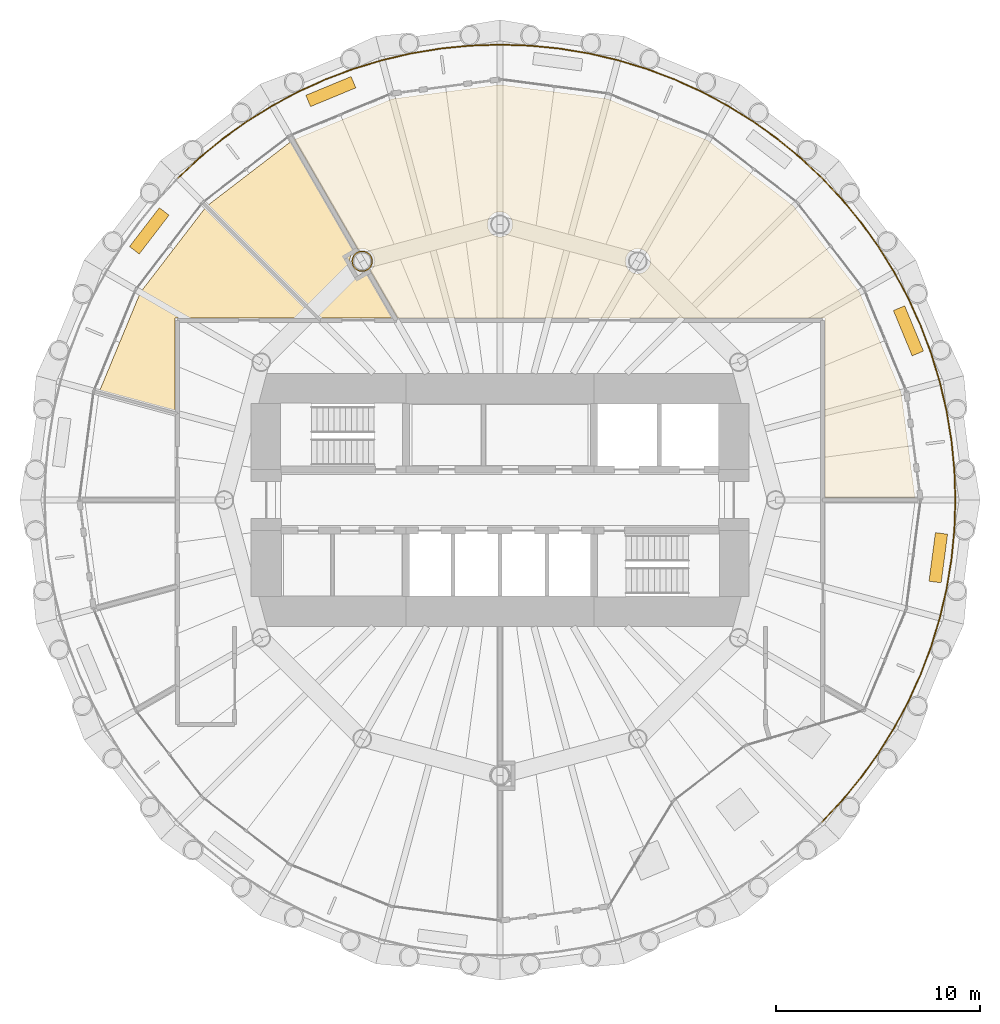
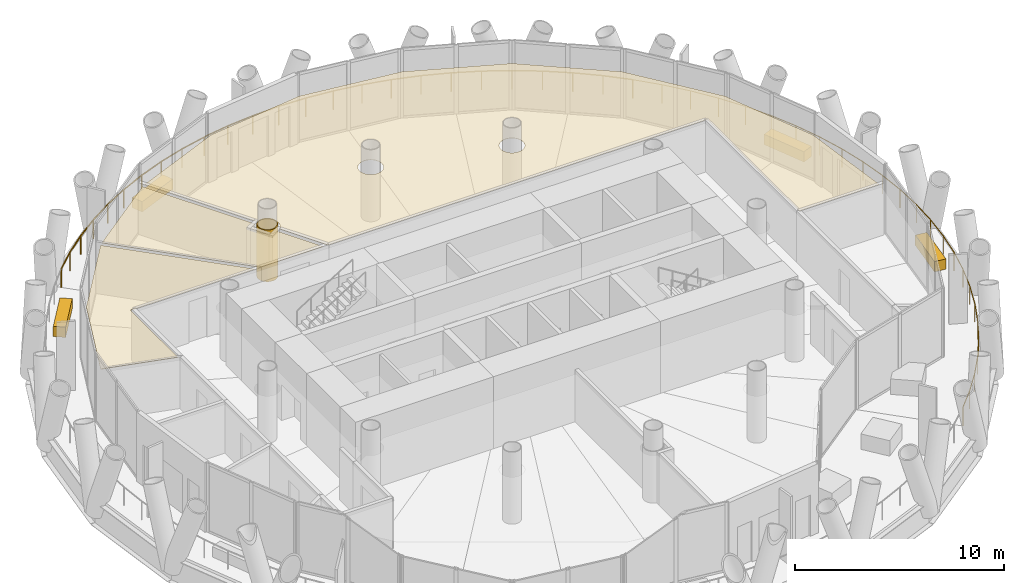
# One storey, part 13 of 14: 8 coverings, 2 railings.
"""IFC4 building model written with IfcOpenShell, lengths in metres."""

from ifc_helpers import new_model, si_unit, direction, frame, origin, origin_2d, place, context, subcontext, project, spatial, polyline, rectangle, circle, outline, extrude, material, layer, layer_set, type_object, element, save


model = new_model("IFC4")

# Units and contexts
model_context = context("Model", 3, precision=1e-05, world=origin(), true_north=direction((0.0, 1.0)))
body_context = subcontext(model_context, "Body", "Model", "MODEL_VIEW")
ifc_project = project(units=[si_unit("LENGTHUNIT", "METRE"), si_unit("AREAUNIT", "SQUARE_METRE"), si_unit("VOLUMEUNIT", "CUBIC_METRE"), si_unit("PLANEANGLEUNIT", "RADIAN"), si_unit("MASSUNIT", "GRAM", prefix="KILO")], contexts=[model_context])

# Site, building, storey
site_placement = place(None, origin())
site = spatial("IfcSite", under=ifc_project, at=site_placement, CompositionType="ELEMENT")
building_placement = place(site_placement, origin())
building = spatial("IfcBuilding", under=site, at=building_placement, Name="Qaws Media Tower", CompositionType="ELEMENT")
storey_placement = place(building_placement, frame((0.0, 0.0, 210.800048828125)))
storey = spatial("IfcBuildingStorey", under=building, at=storey_placement, Name="L48", CompositionType="ELEMENT", Elevation=210.800048828125)

# Covering
ifc_material_1 = material(Name="40 perforated acoustic panels with mineral wool backing, suspended", Category="mineral fibre")
ifc_layer_1 = layer(ifc_material_1, 0.0400390625)
ifc_layer_set_1 = layer_set([ifc_layer_1], Name="Acoustic panel ceiling 40")
covering_type_1 = type_object("IfcCoveringType", Name="Acoustic panel ceiling 40", PredefinedType="CEILING", material=ifc_layer_set_1)
covering_1_placement = place(storey_placement, frame((0.0, 0.0, 2.849853515625)))
element("IfcCovering", 1, at=covering_1_placement, inside=storey, type_object=covering_type_1, Name="CL3 ceiling L48-04 Meeting room", PredefinedType="CEILING", context=body_context, shape_type="SweptSolid", body=[
    extrude(outline(polyline([(42.38916015625, 60.16748046875), (45.5517578125, 64.289306640625), (50.928466796875, 58.91259765625), (44.08740234375, 58.91259765625), (44.08740234375, 54.380126953125), (40.401123046875, 55.367919921875), (42.38916015625, 60.16748046875)])), origin(), (0.0, 0.0, 1.0), 0.0400390625),
])

# Railings
ifc_material_2 = material(Name="Stainless steel and glass guard", Category="steel")
railing_type = type_object("IfcRailingType", Name="Balcony guard 1100", PredefinedType="GUARDRAIL", material=ifc_material_2)
railing_1_placement = place(storey_placement, frame((75.7685546875, 65.7685546875, 0.0)))
element("IfcRailing", 2, at=railing_1_placement, inside=storey, type_object=railing_type, Name="GR1 balcony guard L48-1", PredefinedType="GUARDRAIL", context=body_context, shape_type="SweptSolid", body=[
    extrude(circle(Radius=0.02392578125, at=origin_2d()), frame((0.0, 0.0, 1.076171875), z_axis=(-0.72989707755, 0.683557061396, 0.0), x_axis=(-0.683557061396, -0.72989707755, 0.0)), (0.0, 0.0, 1.0), 1.45947265625),
    extrude(circle(Radius=0.02392578125, at=origin_2d()), frame((-1.065185546875, 0.99755859375, 1.076171875), z_axis=(-0.772972382997, 0.6344396702, 0.0), x_axis=(-0.6344396702, -0.772972382997, 0.0)), (0.0, 0.0, 1.0), 1.459228515625),
    extrude(circle(Radius=0.02392578125, at=origin_2d()), frame((-2.193115234375, 1.92333984375, 1.076171875), z_axis=(-0.812918773446, 0.582377083837, 0.0), x_axis=(-0.582377083837, -0.812918773446, 0.0)), (0.0, 0.0, 1.0), 1.459228515625),
    extrude(circle(Radius=0.02392578125, at=origin_2d()), frame((-3.37939453125, 2.773193359375, 1.076171875), z_axis=(-0.849236664159, 0.528012394028, 0.0), x_axis=(-0.528012394028, -0.849236664159, 0.0)), (0.0, 0.0, 1.0), 1.459228515625),
    extrude(circle(Radius=0.02392578125, at=origin_2d()), frame((-4.61865234375, 3.543701171875, 1.076171875), z_axis=(-0.881880097738, 0.471473746049, 0.0), x_axis=(-0.471473746049, -0.881880097738, 0.0)), (0.0, 0.0, 1.0), 1.459228515625),
    extrude(circle(Radius=0.02392578125, at=origin_2d()), frame((-5.905517578125, 4.231689453125, 1.076171875), z_axis=(-0.910841452215, 0.41275640386, 0.0), x_axis=(-0.41275640386, -0.910841452215, 0.0)), (0.0, 0.0, 1.0), 1.459228515625),
    extrude(circle(Radius=0.02392578125, at=origin_2d()), frame((-7.234619140625, 4.833984375, 1.076171875), z_axis=(-0.935929780964, 0.352186662304, 0.0), x_axis=(-0.352186662304, -0.935929780964, 0.0)), (0.0, 0.0, 1.0), 1.459228515625),
    extrude(circle(Radius=0.02392578125, at=origin_2d()), frame((-8.600341796875, 5.347900390625, 1.076171875), z_axis=(-0.956946982527, 0.290262764805, 0.0), x_axis=(-0.290262764805, -0.956946982527, 0.0)), (0.0, 0.0, 1.0), 1.459228515625),
    extrude(circle(Radius=0.02392578125, at=origin_2d()), frame((-9.996826171875, 5.771484375, 1.076171875), z_axis=(-0.973849847258, 0.227192594499, 0.0), x_axis=(-0.227192594499, -0.973849847258, 0.0)), (0.0, 0.0, 1.0), 1.459228515625),
    extrude(circle(Radius=0.02392578125, at=origin_2d()), frame((-11.41796875, 6.10302734375, 1.076171875), z_axis=(-0.986663858539, 0.162771097721, 0.0), x_axis=(-0.162771097721, -0.986663858539, 0.0)), (0.0, 0.0, 1.0), 1.45947265625),
    extrude(circle(Radius=0.02392578125, at=origin_2d()), frame((-12.85791015625, 6.340576171875, 1.076171875), z_axis=(-0.99518190062, 0.098045829483, 0.0), x_axis=(-0.098045829483, -0.99518190062, 0.0)), (0.0, 0.0, 1.0), 1.459228515625),
    extrude(circle(Radius=0.02392578125, at=origin_2d()), frame((-14.31005859375, 6.483642578125, 1.076171875), z_axis=(-0.99946222418, 0.032791194499, 0.0), x_axis=(-0.032791194499, -0.99946222418, 0.0)), (0.0, 0.0, 1.0), 1.459228515625),
    extrude(circle(Radius=0.02392578125, at=origin_2d()), frame((-15.7685546875, 6.531494140625, 1.076171875), z_axis=(-0.99946222418, -0.032791194499, 0.0), x_axis=(0.032791194499, -0.99946222418, 0.0)), (0.0, 0.0, 1.0), 1.459228515625),
    extrude(circle(Radius=0.02392578125, at=origin_2d()), frame((-17.22705078125, 6.483642578125, 1.076171875), z_axis=(-0.99518190062, -0.098045829483, 0.0), x_axis=(0.098045829483, -0.99518190062, 0.0)), (0.0, 0.0, 1.0), 1.459228515625),
    extrude(circle(Radius=0.02392578125, at=origin_2d()), frame((-18.67919921875, 6.340576171875, 1.076171875), z_axis=(-0.986663858539, -0.162771097721, 0.0), x_axis=(0.162771097721, -0.986663858539, 0.0)), (0.0, 0.0, 1.0), 1.45947265625),
    extrude(circle(Radius=0.02392578125, at=origin_2d()), frame((-20.119140625, 6.10302734375, 1.076171875), z_axis=(-0.973849847258, -0.227192594499, 0.0), x_axis=(0.227192594499, -0.973849847258, 0.0)), (0.0, 0.0, 1.0), 1.459228515625),
    extrude(circle(Radius=0.02392578125, at=origin_2d()), frame((-21.540283203125, 5.771484375, 1.076171875), z_axis=(-0.956946982527, -0.290262764805, 0.0), x_axis=(0.290262764805, -0.956946982527, 0.0)), (0.0, 0.0, 1.0), 1.459228515625),
    extrude(circle(Radius=0.02392578125, at=origin_2d()), frame((-22.936767578125, 5.347900390625, 1.076171875), z_axis=(-0.935929780964, -0.352186662304, 0.0), x_axis=(0.352186662304, -0.935929780964, 0.0)), (0.0, 0.0, 1.0), 1.459228515625),
    extrude(circle(Radius=0.02392578125, at=origin_2d()), frame((-24.302490234375, 4.833984375, 1.076171875), z_axis=(-0.910841452215, -0.41275640386, 0.0), x_axis=(0.41275640386, -0.910841452215, 0.0)), (0.0, 0.0, 1.0), 1.459228515625),
    extrude(circle(Radius=0.02392578125, at=origin_2d()), frame((-25.631591796875, 4.231689453125, 1.076171875), z_axis=(-0.881880097738, -0.471473746049, 0.0), x_axis=(0.471473746049, -0.881880097738, 0.0)), (0.0, 0.0, 1.0), 1.459228515625),
    extrude(circle(Radius=0.02392578125, at=origin_2d()), frame((-26.91845703125, 3.543701171875, 1.076171875), z_axis=(-0.849236664159, -0.528012394028, 0.0), x_axis=(0.528012394028, -0.849236664159, 0.0)), (0.0, 0.0, 1.0), 1.459228515625),
    extrude(circle(Radius=0.02392578125, at=origin_2d()), frame((-28.15771484375, 2.773193359375, 1.076171875), z_axis=(-0.812918773446, -0.582377083837, 0.0), x_axis=(0.582377083837, -0.812918773446, 0.0)), (0.0, 0.0, 1.0), 1.459228515625),
    extrude(circle(Radius=0.02392578125, at=origin_2d()), frame((-29.343994140625, 1.92333984375, 1.076171875), z_axis=(-0.772972382997, -0.6344396702, 0.0), x_axis=(0.6344396702, -0.772972382997, 0.0)), (0.0, 0.0, 1.0), 1.459228515625),
    extrude(circle(Radius=0.02392578125, at=origin_2d()), frame((-30.471923828125, 0.99755859375, 1.076171875), z_axis=(-0.72989707755, -0.683557061396, 0.0), x_axis=(0.683557061396, -0.72989707755, 0.0)), (0.0, 0.0, 1.0), 1.45947265625),
    extrude(circle(Radius=0.02099609375, at=origin_2d()), origin(), (0.0, 0.0, 1.0), 1.052001953125),
    extrude(circle(Radius=0.02099609375, at=origin_2d()), frame((-1.065185546875, 0.99755859375, 0.0)), (0.0, 0.0, 1.0), 1.052001953125),
    extrude(circle(Radius=0.02099609375, at=origin_2d()), frame((-2.193115234375, 1.92333984375, 0.0)), (0.0, 0.0, 1.0), 1.052001953125),
    extrude(circle(Radius=0.02099609375, at=origin_2d()), frame((-3.37939453125, 2.773193359375, 0.0)), (0.0, 0.0, 1.0), 1.052001953125),
    extrude(circle(Radius=0.02099609375, at=origin_2d()), frame((-4.61865234375, 3.543701171875, 0.0)), (0.0, 0.0, 1.0), 1.052001953125),
    extrude(circle(Radius=0.02099609375, at=origin_2d()), frame((-5.905517578125, 4.231689453125, 0.0)), (0.0, 0.0, 1.0), 1.052001953125),
    extrude(circle(Radius=0.02099609375, at=origin_2d()), frame((-7.234619140625, 4.833984375, 0.0)), (0.0, 0.0, 1.0), 1.052001953125),
    extrude(circle(Radius=0.02099609375, at=origin_2d()), frame((-8.600341796875, 5.347900390625, 0.0)), (0.0, 0.0, 1.0), 1.052001953125),
    extrude(circle(Radius=0.02099609375, at=origin_2d()), frame((-9.996826171875, 5.771484375, 0.0)), (0.0, 0.0, 1.0), 1.052001953125),
    extrude(circle(Radius=0.02099609375, at=origin_2d()), frame((-11.41796875, 6.10302734375, 0.0)), (0.0, 0.0, 1.0), 1.052001953125),
    extrude(circle(Radius=0.02099609375, at=origin_2d()), frame((-12.85791015625, 6.340576171875, 0.0)), (0.0, 0.0, 1.0), 1.052001953125),
    extrude(circle(Radius=0.02099609375, at=origin_2d()), frame((-14.31005859375, 6.483642578125, 0.0)), (0.0, 0.0, 1.0), 1.052001953125),
    extrude(circle(Radius=0.02099609375, at=origin_2d()), frame((-15.7685546875, 6.531494140625, 0.0)), (0.0, 0.0, 1.0), 1.052001953125),
    extrude(circle(Radius=0.02099609375, at=origin_2d()), frame((-17.22705078125, 6.483642578125, 0.0)), (0.0, 0.0, 1.0), 1.052001953125),
    extrude(circle(Radius=0.02099609375, at=origin_2d()), frame((-18.67919921875, 6.340576171875, 0.0)), (0.0, 0.0, 1.0), 1.052001953125),
    extrude(circle(Radius=0.02099609375, at=origin_2d()), frame((-20.119140625, 6.10302734375, 0.0)), (0.0, 0.0, 1.0), 1.052001953125),
    extrude(circle(Radius=0.02099609375, at=origin_2d()), frame((-21.540283203125, 5.771484375, 0.0)), (0.0, 0.0, 1.0), 1.052001953125),
    extrude(circle(Radius=0.02099609375, at=origin_2d()), frame((-22.936767578125, 5.347900390625, 0.0)), (0.0, 0.0, 1.0), 1.052001953125),
    extrude(circle(Radius=0.02099609375, at=origin_2d()), frame((-24.302490234375, 4.833984375, 0.0)), (0.0, 0.0, 1.0), 1.052001953125),
    extrude(circle(Radius=0.02099609375, at=origin_2d()), frame((-25.631591796875, 4.231689453125, 0.0)), (0.0, 0.0, 1.0), 1.052001953125),
    extrude(circle(Radius=0.02099609375, at=origin_2d()), frame((-26.91845703125, 3.543701171875, 0.0)), (0.0, 0.0, 1.0), 1.052001953125),
    extrude(circle(Radius=0.02099609375, at=origin_2d()), frame((-28.15771484375, 2.773193359375, 0.0)), (0.0, 0.0, 1.0), 1.052001953125),
    extrude(circle(Radius=0.02099609375, at=origin_2d()), frame((-29.343994140625, 1.92333984375, 0.0)), (0.0, 0.0, 1.0), 1.052001953125),
    extrude(circle(Radius=0.02099609375, at=origin_2d()), frame((-30.471923828125, 0.99755859375, 0.0)), (0.0, 0.0, 1.0), 1.052001953125),
    extrude(circle(Radius=0.02099609375, at=origin_2d()), frame((-31.537109375, 0.0, 0.0)), (0.0, 0.0, 1.0), 1.052001953125),
])
railing_2_placement = place(storey_placement, frame((75.7685546875, 34.2314453125, 0.0)))
element("IfcRailing", 3, at=railing_2_placement, inside=storey, type_object=railing_type, Name="GR1 balcony guard L48-4", PredefinedType="GUARDRAIL", context=body_context, shape_type="SweptSolid", body=[
    extrude(circle(Radius=0.02392578125, at=origin_2d()), frame((0.0, 0.0, 1.076171875), z_axis=(0.683557061396, 0.72989707755, 0.0), x_axis=(-0.72989707755, 0.683557061396, 0.0)), (0.0, 0.0, 1.0), 1.45947265625),
    extrude(circle(Radius=0.02392578125, at=origin_2d()), frame((0.99755859375, 1.065185546875, 1.076171875), z_axis=(0.6344396702, 0.772972382997, 0.0), x_axis=(-0.772972382997, 0.6344396702, 0.0)), (0.0, 0.0, 1.0), 1.459228515625),
    extrude(circle(Radius=0.02392578125, at=origin_2d()), frame((1.92333984375, 2.193115234375, 1.076171875), z_axis=(0.582377083837, 0.812918773446, 0.0), x_axis=(-0.812918773446, 0.582377083837, 0.0)), (0.0, 0.0, 1.0), 1.459228515625),
    extrude(circle(Radius=0.02392578125, at=origin_2d()), frame((2.773193359375, 3.37939453125, 1.076171875), z_axis=(0.528012394028, 0.849236664159, 0.0), x_axis=(-0.849236664159, 0.528012394028, 0.0)), (0.0, 0.0, 1.0), 1.459228515625),
    extrude(circle(Radius=0.02392578125, at=origin_2d()), frame((3.543701171875, 4.61865234375, 1.076171875), z_axis=(0.471473746049, 0.881880097738, 0.0), x_axis=(-0.881880097738, 0.471473746049, 0.0)), (0.0, 0.0, 1.0), 1.459228515625),
    extrude(circle(Radius=0.02392578125, at=origin_2d()), frame((4.231689453125, 5.905517578125, 1.076171875), z_axis=(0.41275640386, 0.910841452215, 0.0), x_axis=(-0.910841452215, 0.41275640386, 0.0)), (0.0, 0.0, 1.0), 1.459228515625),
    extrude(circle(Radius=0.02392578125, at=origin_2d()), frame((4.833984375, 7.234619140625, 1.076171875), z_axis=(0.352186662304, 0.935929780964, 0.0), x_axis=(-0.935929780964, 0.352186662304, 0.0)), (0.0, 0.0, 1.0), 1.459228515625),
    extrude(circle(Radius=0.02392578125, at=origin_2d()), frame((5.347900390625, 8.600341796875, 1.076171875), z_axis=(0.290262764805, 0.956946982527, 0.0), x_axis=(-0.956946982527, 0.290262764805, 0.0)), (0.0, 0.0, 1.0), 1.459228515625),
    extrude(circle(Radius=0.02392578125, at=origin_2d()), frame((5.771484375, 9.996826171875, 1.076171875), z_axis=(0.227192594499, 0.973849847258, 0.0), x_axis=(-0.973849847258, 0.227192594499, 0.0)), (0.0, 0.0, 1.0), 1.459228515625),
    extrude(circle(Radius=0.02392578125, at=origin_2d()), frame((6.10302734375, 11.41796875, 1.076171875), z_axis=(0.162771097721, 0.986663858539, 0.0), x_axis=(-0.986663858539, 0.162771097721, 0.0)), (0.0, 0.0, 1.0), 1.45947265625),
    extrude(circle(Radius=0.02392578125, at=origin_2d()), frame((6.340576171875, 12.85791015625, 1.076171875), z_axis=(0.098045829483, 0.99518190062, 0.0), x_axis=(-0.99518190062, 0.098045829483, 0.0)), (0.0, 0.0, 1.0), 1.459228515625),
    extrude(circle(Radius=0.02392578125, at=origin_2d()), frame((6.483642578125, 14.31005859375, 1.076171875), z_axis=(0.032791194499, 0.99946222418, 0.0), x_axis=(-0.99946222418, 0.032791194499, 0.0)), (0.0, 0.0, 1.0), 1.459228515625),
    extrude(circle(Radius=0.02392578125, at=origin_2d()), frame((6.531494140625, 15.7685546875, 1.076171875), z_axis=(-0.032791194499, 0.99946222418, 0.0), x_axis=(-0.99946222418, -0.032791194499, 0.0)), (0.0, 0.0, 1.0), 1.459228515625),
    extrude(circle(Radius=0.02392578125, at=origin_2d()), frame((6.483642578125, 17.22705078125, 1.076171875), z_axis=(-0.098045829483, 0.99518190062, 0.0), x_axis=(-0.99518190062, -0.098045829483, 0.0)), (0.0, 0.0, 1.0), 1.459228515625),
    extrude(circle(Radius=0.02392578125, at=origin_2d()), frame((6.340576171875, 18.67919921875, 1.076171875), z_axis=(-0.162771097721, 0.986663858539, 0.0), x_axis=(-0.986663858539, -0.162771097721, 0.0)), (0.0, 0.0, 1.0), 1.45947265625),
    extrude(circle(Radius=0.02392578125, at=origin_2d()), frame((6.10302734375, 20.119140625, 1.076171875), z_axis=(-0.227192594499, 0.973849847258, 0.0), x_axis=(-0.973849847258, -0.227192594499, 0.0)), (0.0, 0.0, 1.0), 1.459228515625),
    extrude(circle(Radius=0.02392578125, at=origin_2d()), frame((5.771484375, 21.540283203125, 1.076171875), z_axis=(-0.290262764805, 0.956946982527, 0.0), x_axis=(-0.956946982527, -0.290262764805, 0.0)), (0.0, 0.0, 1.0), 1.459228515625),
    extrude(circle(Radius=0.02392578125, at=origin_2d()), frame((5.347900390625, 22.936767578125, 1.076171875), z_axis=(-0.352186662304, 0.935929780964, 0.0), x_axis=(-0.935929780964, -0.352186662304, 0.0)), (0.0, 0.0, 1.0), 1.459228515625),
    extrude(circle(Radius=0.02392578125, at=origin_2d()), frame((4.833984375, 24.302490234375, 1.076171875), z_axis=(-0.41275640386, 0.910841452215, 0.0), x_axis=(-0.910841452215, -0.41275640386, 0.0)), (0.0, 0.0, 1.0), 1.459228515625),
    extrude(circle(Radius=0.02392578125, at=origin_2d()), frame((4.231689453125, 25.631591796875, 1.076171875), z_axis=(-0.471473746049, 0.881880097738, 0.0), x_axis=(-0.881880097738, -0.471473746049, 0.0)), (0.0, 0.0, 1.0), 1.459228515625),
    extrude(circle(Radius=0.02392578125, at=origin_2d()), frame((3.543701171875, 26.91845703125, 1.076171875), z_axis=(-0.528012394028, 0.849236664159, 0.0), x_axis=(-0.849236664159, -0.528012394028, 0.0)), (0.0, 0.0, 1.0), 1.459228515625),
    extrude(circle(Radius=0.02392578125, at=origin_2d()), frame((2.773193359375, 28.15771484375, 1.076171875), z_axis=(-0.582377083837, 0.812918773446, 0.0), x_axis=(-0.812918773446, -0.582377083837, 0.0)), (0.0, 0.0, 1.0), 1.459228515625),
    extrude(circle(Radius=0.02392578125, at=origin_2d()), frame((1.92333984375, 29.343994140625, 1.076171875), z_axis=(-0.6344396702, 0.772972382997, 0.0), x_axis=(-0.772972382997, -0.6344396702, 0.0)), (0.0, 0.0, 1.0), 1.459228515625),
    extrude(circle(Radius=0.02392578125, at=origin_2d()), frame((0.99755859375, 30.471923828125, 1.076171875), z_axis=(-0.683557061396, 0.72989707755, 0.0), x_axis=(-0.72989707755, -0.683557061396, 0.0)), (0.0, 0.0, 1.0), 1.45947265625),
    extrude(circle(Radius=0.02099609375, at=origin_2d()), origin(), (0.0, 0.0, 1.0), 1.052001953125),
    extrude(circle(Radius=0.02099609375, at=origin_2d()), frame((0.99755859375, 1.065185546875, 0.0)), (0.0, 0.0, 1.0), 1.052001953125),
    extrude(circle(Radius=0.02099609375, at=origin_2d()), frame((1.92333984375, 2.193115234375, 0.0)), (0.0, 0.0, 1.0), 1.052001953125),
    extrude(circle(Radius=0.02099609375, at=origin_2d()), frame((2.773193359375, 3.37939453125, 0.0)), (0.0, 0.0, 1.0), 1.052001953125),
    extrude(circle(Radius=0.02099609375, at=origin_2d()), frame((3.543701171875, 4.61865234375, 0.0)), (0.0, 0.0, 1.0), 1.052001953125),
    extrude(circle(Radius=0.02099609375, at=origin_2d()), frame((4.231689453125, 5.905517578125, 0.0)), (0.0, 0.0, 1.0), 1.052001953125),
    extrude(circle(Radius=0.02099609375, at=origin_2d()), frame((4.833984375, 7.234619140625, 0.0)), (0.0, 0.0, 1.0), 1.052001953125),
    extrude(circle(Radius=0.02099609375, at=origin_2d()), frame((5.347900390625, 8.600341796875, 0.0)), (0.0, 0.0, 1.0), 1.052001953125),
    extrude(circle(Radius=0.02099609375, at=origin_2d()), frame((5.771484375, 9.996826171875, 0.0)), (0.0, 0.0, 1.0), 1.052001953125),
    extrude(circle(Radius=0.02099609375, at=origin_2d()), frame((6.10302734375, 11.41796875, 0.0)), (0.0, 0.0, 1.0), 1.052001953125),
    extrude(circle(Radius=0.02099609375, at=origin_2d()), frame((6.340576171875, 12.85791015625, 0.0)), (0.0, 0.0, 1.0), 1.052001953125),
    extrude(circle(Radius=0.02099609375, at=origin_2d()), frame((6.483642578125, 14.31005859375, 0.0)), (0.0, 0.0, 1.0), 1.052001953125),
    extrude(circle(Radius=0.02099609375, at=origin_2d()), frame((6.531494140625, 15.7685546875, 0.0)), (0.0, 0.0, 1.0), 1.052001953125),
    extrude(circle(Radius=0.02099609375, at=origin_2d()), frame((6.483642578125, 17.22705078125, 0.0)), (0.0, 0.0, 1.0), 1.052001953125),
    extrude(circle(Radius=0.02099609375, at=origin_2d()), frame((6.340576171875, 18.67919921875, 0.0)), (0.0, 0.0, 1.0), 1.052001953125),
    extrude(circle(Radius=0.02099609375, at=origin_2d()), frame((6.10302734375, 20.119140625, 0.0)), (0.0, 0.0, 1.0), 1.052001953125),
    extrude(circle(Radius=0.02099609375, at=origin_2d()), frame((5.771484375, 21.540283203125, 0.0)), (0.0, 0.0, 1.0), 1.052001953125),
    extrude(circle(Radius=0.02099609375, at=origin_2d()), frame((5.347900390625, 22.936767578125, 0.0)), (0.0, 0.0, 1.0), 1.052001953125),
    extrude(circle(Radius=0.02099609375, at=origin_2d()), frame((4.833984375, 24.302490234375, 0.0)), (0.0, 0.0, 1.0), 1.052001953125),
    extrude(circle(Radius=0.02099609375, at=origin_2d()), frame((4.231689453125, 25.631591796875, 0.0)), (0.0, 0.0, 1.0), 1.052001953125),
    extrude(circle(Radius=0.02099609375, at=origin_2d()), frame((3.543701171875, 26.91845703125, 0.0)), (0.0, 0.0, 1.0), 1.052001953125),
    extrude(circle(Radius=0.02099609375, at=origin_2d()), frame((2.773193359375, 28.15771484375, 0.0)), (0.0, 0.0, 1.0), 1.052001953125),
    extrude(circle(Radius=0.02099609375, at=origin_2d()), frame((1.92333984375, 29.343994140625, 0.0)), (0.0, 0.0, 1.0), 1.052001953125),
    extrude(circle(Radius=0.02099609375, at=origin_2d()), frame((0.99755859375, 30.471923828125, 0.0)), (0.0, 0.0, 1.0), 1.052001953125),
    extrude(circle(Radius=0.02099609375, at=origin_2d()), frame((0.0, 31.537109375, 0.0)), (0.0, 0.0, 1.0), 1.052001953125),
])

# Coverings
ifc_material_3 = material(Name="Two layers 15 fire-rated gypsum board on steel framing", Category="steel")
ifc_layer_2 = layer(ifc_material_3, 0.050048828125)
ifc_layer_set_2 = layer_set([ifc_layer_2], Name="Column fire casing")
covering_type_2 = type_object("IfcCoveringType", Name="Column fire casing", PredefinedType="CLADDING", material=ifc_layer_set_2)
covering_2_placement = place(storey_placement, origin())
element("IfcCovering", 4, at=covering_2_placement, inside=storey, type_object=covering_type_2, Name="CC1 column casing L48", PredefinedType="CLADDING", context=body_context, shape_type="SweptSolid", body=[
    extrude(outline(polyline([(53.761962890625, 61.69140625), (53.757568359375, 61.62451171875), (53.74462890625, 61.558837890625), (53.722900390625, 61.495361328125), (53.693359375, 61.435302734375), (53.65625, 61.379638671875), (53.612060546875, 61.329345703125), (53.561767578125, 61.28515625), (53.506103515625, 61.247802734375), (53.44580078125, 61.21826171875), (53.382568359375, 61.19677734375), (53.31689453125, 61.18359375), (53.25, 61.17919921875), (53.18310546875, 61.18359375), (53.117431640625, 61.19677734375), (53.05419921875, 61.21826171875), (52.993896484375, 61.247802734375), (52.938232421875, 61.28515625), (52.887939453125, 61.329345703125), (52.84375, 61.379638671875), (52.806640625, 61.435302734375), (52.777099609375, 61.495361328125), (52.75537109375, 61.558837890625), (52.742431640625, 61.62451171875), (52.738037109375, 61.69140625), (52.742431640625, 61.75830078125), (52.75537109375, 61.823974609375), (52.777099609375, 61.88720703125), (52.806640625, 61.947265625), (52.84375, 62.0029296875), (52.887939453125, 62.053466796875), (52.938232421875, 62.097412109375), (52.993896484375, 62.134765625), (53.05419921875, 62.164306640625), (53.117431640625, 62.185791015625), (53.18310546875, 62.198974609375), (53.25, 62.203369140625), (53.31689453125, 62.198974609375), (53.382568359375, 62.185791015625), (53.44580078125, 62.164306640625), (53.506103515625, 62.134765625), (53.561767578125, 62.097412109375), (53.612060546875, 62.053466796875), (53.65625, 62.0029296875), (53.693359375, 61.947265625), (53.722900390625, 61.88720703125), (53.74462890625, 61.823974609375), (53.757568359375, 61.75830078125), (53.761962890625, 61.69140625)]), holes=[polyline([(53.7099609375, 61.69140625), (53.7060546875, 61.63134765625), (53.6943359375, 61.572265625), (53.675048828125, 61.515380859375), (53.6484375, 61.461181640625), (53.614990234375, 61.411376953125), (53.5751953125, 61.3662109375), (53.530029296875, 61.326416015625), (53.47998046875, 61.29296875), (53.426025390625, 61.266357421875), (53.369140625, 61.2470703125), (53.31005859375, 61.2353515625), (53.25, 61.231201171875), (53.18994140625, 61.2353515625), (53.130859375, 61.2470703125), (53.073974609375, 61.266357421875), (53.02001953125, 61.29296875), (52.969970703125, 61.326416015625), (52.9248046875, 61.3662109375), (52.885009765625, 61.411376953125), (52.8515625, 61.461181640625), (52.824951171875, 61.515380859375), (52.8056640625, 61.572265625), (52.7939453125, 61.63134765625), (52.7900390625, 61.69140625), (52.7939453125, 61.75146484375), (52.8056640625, 61.810302734375), (52.824951171875, 61.867431640625), (52.8515625, 61.92138671875), (52.885009765625, 61.971435546875), (52.9248046875, 62.0166015625), (52.969970703125, 62.056396484375), (53.02001953125, 62.089599609375), (53.073974609375, 62.1162109375), (53.130859375, 62.1357421875), (53.18994140625, 62.1474609375), (53.25, 62.1513671875), (53.31005859375, 62.1474609375), (53.369140625, 62.1357421875), (53.426025390625, 62.1162109375), (53.47998046875, 62.089599609375), (53.530029296875, 62.056396484375), (53.5751953125, 62.0166015625), (53.614990234375, 61.971435546875), (53.6484375, 61.92138671875), (53.675048828125, 61.867431640625), (53.6943359375, 61.810302734375), (53.7060546875, 61.75146484375), (53.7099609375, 61.69140625)])]), origin(), (0.0, 0.0, 1.0), 3.011962890625),
])
ifc_material_4 = material(Name="600 x 600 mineral fibre tiles in exposed grid, suspended", Category="mineral fibre")
ifc_layer_3 = layer(ifc_material_4, 0.02001953125)
ifc_layer_set_3 = layer_set([ifc_layer_3], Name="Mineral fibre tile ceiling 20")
covering_type_3 = type_object("IfcCoveringType", Name="Mineral fibre tile ceiling 20", PredefinedType="CEILING", material=ifc_layer_set_3)
covering_3_placement = place(storey_placement, frame((0.0, 0.0, 2.849853515625)))
element("IfcCovering", 5, at=covering_3_placement, inside=storey, type_object=covering_type_3, Name="CL1 ceiling L48-02 Tenant studio office", PredefinedType="CEILING", context=body_context, shape_type="SweptSolid", body=[
    extrude(outline(polyline([(54.73681640625, 69.642333984375), (60.0, 70.335205078125), (65.26318359375, 69.642333984375), (70.16748046875, 67.61083984375), (74.379150390625, 64.379150390625), (77.61083984375, 60.16748046875), (79.642333984375, 55.26318359375), (80.3203125, 50.112548828125), (75.91259765625, 50.112548828125), (75.91259765625, 58.91259765625), (54.984375, 58.91259765625), (53.650146484375, 61.223388671875), (53.686279296875, 61.255126953125), (53.739501953125, 61.315673828125), (53.7841796875, 61.3828125), (53.820068359375, 61.455078125), (53.845947265625, 61.53173828125), (53.86181640625, 61.61083984375), (53.866943359375, 61.69140625), (53.86181640625, 61.77197265625), (53.845947265625, 61.85107421875), (53.820068359375, 61.927490234375), (53.7841796875, 61.999755859375), (53.739501953125, 62.06689453125), (53.686279296875, 62.127685546875), (53.62548828125, 62.180908203125), (53.55859375, 62.2255859375), (53.486083984375, 62.261474609375), (53.40966796875, 62.287353515625), (53.33056640625, 62.302978515625), (53.25, 62.308349609375), (53.16943359375, 62.302978515625), (53.09033203125, 62.287353515625), (53.044921875, 62.27197265625), (49.937255859375, 67.654296875), (54.73681640625, 69.642333984375)]), holes=[polyline([(60.570068359375, 63.263916015625), (60.595947265625, 63.34033203125), (60.61181640625, 63.41943359375), (60.616943359375, 63.5), (60.61181640625, 63.58056640625), (60.595947265625, 63.65966796875), (60.570068359375, 63.736083984375), (60.5341796875, 63.80859375), (60.489501953125, 63.87548828125), (60.436279296875, 63.936279296875), (60.37548828125, 63.989501953125), (60.30859375, 64.0341796875), (60.236083984375, 64.070068359375), (60.15966796875, 64.095947265625), (60.08056640625, 64.11181640625), (60.0, 64.116943359375), (59.91943359375, 64.11181640625), (59.84033203125, 64.095947265625), (59.763916015625, 64.070068359375), (59.69140625, 64.0341796875), (59.62451171875, 63.989501953125), (59.563720703125, 63.936279296875), (59.510498046875, 63.87548828125), (59.4658203125, 63.80859375), (59.429931640625, 63.736083984375), (59.404052734375, 63.65966796875), (59.38818359375, 63.58056640625), (59.383056640625, 63.5), (59.38818359375, 63.41943359375), (59.404052734375, 63.34033203125), (59.429931640625, 63.263916015625), (59.4658203125, 63.19140625), (59.510498046875, 63.12451171875), (59.563720703125, 63.063720703125), (59.62451171875, 63.010498046875), (59.69140625, 62.9658203125), (59.763916015625, 62.929931640625), (59.84033203125, 62.904052734375), (59.91943359375, 62.88818359375), (60.0, 62.883056640625), (60.08056640625, 62.88818359375), (60.15966796875, 62.904052734375), (60.236083984375, 62.929931640625), (60.30859375, 62.9658203125), (60.37548828125, 63.010498046875), (60.436279296875, 63.063720703125), (60.489501953125, 63.12451171875), (60.5341796875, 63.19140625), (60.570068359375, 63.263916015625)]), polyline([(67.320068359375, 61.455078125), (67.345947265625, 61.53173828125), (67.36181640625, 61.61083984375), (67.366943359375, 61.69140625), (67.36181640625, 61.77197265625), (67.345947265625, 61.85107421875), (67.320068359375, 61.927490234375), (67.2841796875, 61.999755859375), (67.239501953125, 62.06689453125), (67.186279296875, 62.127685546875), (67.12548828125, 62.180908203125), (67.05859375, 62.2255859375), (66.986083984375, 62.261474609375), (66.90966796875, 62.287353515625), (66.83056640625, 62.302978515625), (66.75, 62.308349609375), (66.66943359375, 62.302978515625), (66.59033203125, 62.287353515625), (66.513916015625, 62.261474609375), (66.44140625, 62.2255859375), (66.37451171875, 62.180908203125), (66.313720703125, 62.127685546875), (66.260498046875, 62.06689453125), (66.2158203125, 61.999755859375), (66.179931640625, 61.927490234375), (66.154052734375, 61.85107421875), (66.13818359375, 61.77197265625), (66.133056640625, 61.69140625), (66.13818359375, 61.61083984375), (66.154052734375, 61.53173828125), (66.179931640625, 61.455078125), (66.2158203125, 61.3828125), (66.260498046875, 61.315673828125), (66.313720703125, 61.255126953125), (66.37451171875, 61.201904296875), (66.44140625, 61.156982421875), (66.513916015625, 61.121337890625), (66.59033203125, 61.095458984375), (66.66943359375, 61.07958984375), (66.75, 61.07421875), (66.83056640625, 61.07958984375), (66.90966796875, 61.095458984375), (66.986083984375, 61.121337890625), (67.05859375, 61.156982421875), (67.12548828125, 61.201904296875), (67.186279296875, 61.255126953125), (67.239501953125, 61.315673828125), (67.2841796875, 61.3828125), (67.320068359375, 61.455078125)])]), origin(), (0.0, 0.0, 1.0), 0.02001953125),
])
ifc_material_5 = material(Name="Precast concrete planter with trailing planting", Category="concrete")
ifc_layer_4 = layer(ifc_material_5, 0.60009765625)
ifc_layer_set_4 = layer_set([ifc_layer_4], Name="Planter 2400x600")
covering_type_4 = type_object("IfcCoveringType", Name="Planter 2400x600", PredefinedType="USERDEFINED", material=ifc_layer_set_4)
for number, where, z_axis, x_axis, name in (
    (6, (80.001953125, 58.28515625, 0.0), (0.0, 0.0, 1.0), (-0.382683432365, 0.923879532511, 0.0), "PL1 balcony planter L48-01"),
    (7, (51.71484375, 70.001953125, 0.0), (0.0, 0.0, 1.0), (-0.923879532511, -0.382683432365, 0.0), "PL1 balcony planter L48-04"),
    (8, (42.823974609375, 63.1796875, 0.0), (0.0, 0.0, 1.0), (-0.608761429009, -0.793353340291, 0.0), "PL1 balcony planter L48-05"),
    (9, (81.46484375, 47.174072265625, 0.0), (0.0, 0.0, 1.0), (0.13052619222, 0.991444861374, 0.0), "PL1 balcony planter L48-12"),
):
    element("IfcCovering", number, at=place(storey_placement, frame(where, z_axis=z_axis, x_axis=x_axis)), inside=storey, type_object=covering_type_4, Name=name, ObjectType="PLANTER", PredefinedType="USERDEFINED", context=body_context, shape_type="SweptSolid", body=[
        extrude(rectangle(XDim=2.39990234375, YDim=0.60009765625, at=origin_2d()), origin(), (0.0, 0.0, 1.0), 0.60009765625),
    ])
ifc_material_6 = material(Name="Two layers 12.5 moisture-resistant plasterboard on suspended metal furring", Category="gypsum")
ifc_layer_5 = layer(ifc_material_6, 0.02490234375)
ifc_layer_set_5 = layer_set([ifc_layer_5], Name="Plasterboard ceiling 25")
covering_type_5 = type_object("IfcCoveringType", Name="Plasterboard ceiling 25", PredefinedType="CEILING", material=ifc_layer_set_5)
covering_4_placement = place(storey_placement, frame((0.0, 0.0, 2.849853515625)))
element("IfcCovering", 10, at=covering_4_placement, inside=storey, type_object=covering_type_5, Name="CL2 ceiling L48-03 Tenant reception", PredefinedType="CEILING", context=body_context, shape_type="SweptSolid", body=[
    extrude(outline(polyline([(49.742431640625, 67.541748046875), (52.849853515625, 62.159423828125), (52.813720703125, 62.127685546875), (52.760498046875, 62.06689453125), (52.7158203125, 61.999755859375), (52.679931640625, 61.927490234375), (52.654052734375, 61.85107421875), (52.63818359375, 61.77197265625), (52.633056640625, 61.69140625), (52.63818359375, 61.61083984375), (52.654052734375, 61.53173828125), (52.679931640625, 61.455078125), (52.7158203125, 61.3828125), (52.760498046875, 61.315673828125), (52.813720703125, 61.255126953125), (52.87451171875, 61.201904296875), (52.94140625, 61.156982421875), (53.013916015625, 61.121337890625), (53.09033203125, 61.095458984375), (53.16943359375, 61.07958984375), (53.25, 61.07421875), (53.33056640625, 61.07958984375), (53.40966796875, 61.095458984375), (53.455322265625, 61.11083984375), (54.724609375, 58.91259765625), (51.24658203125, 58.91259765625), (45.710693359375, 64.4482421875), (49.742431640625, 67.541748046875)])), origin(), (0.0, 0.0, 1.0), 0.025146484375),
])

save(model, "model.ifc")
